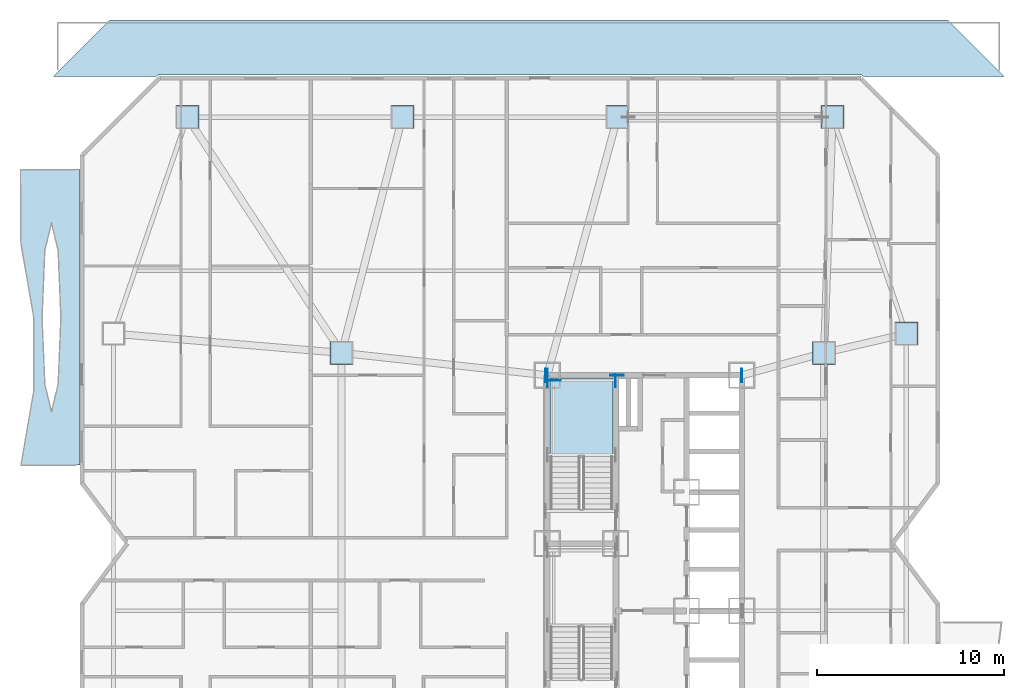
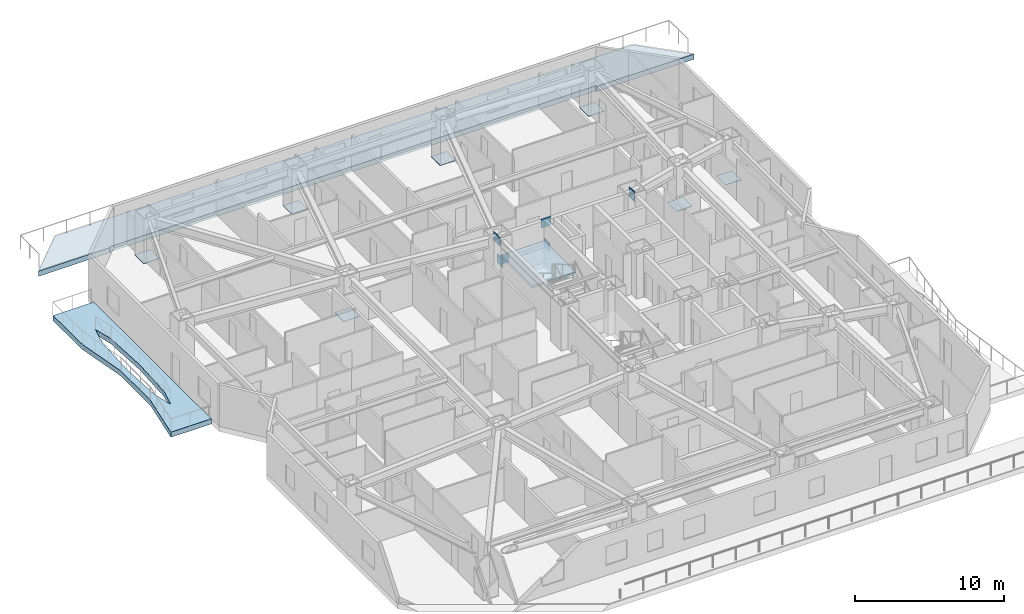
# One storey, part 6 of 18: 15 plates, 3 slabs, 1 element without a shape of its own.
"""IFC4 building model written with IfcOpenShell, lengths in metres."""

from ifc_helpers import new_model, si_unit, direction, frame, origin, origin_2d, place, context, subcontext, project, spatial, polyline, rectangle, outline, extrude, material, layer, layer_set, type_object, element, aggregate, save


model = new_model("IFC4")

# Units and contexts
model_context = context("Model", 3, precision=1e-05, world=origin(), true_north=direction((0.0, 1.0)))
body_context = subcontext(model_context, "Body", "Model", "MODEL_VIEW")
ifc_project = project(units=[si_unit("LENGTHUNIT", "METRE"), si_unit("AREAUNIT", "SQUARE_METRE"), si_unit("VOLUMEUNIT", "CUBIC_METRE"), si_unit("PLANEANGLEUNIT", "RADIAN"), si_unit("MASSUNIT", "GRAM", prefix="KILO")], contexts=[model_context])

# Site, building, storey
site_placement = place(None, origin())
site = spatial("IfcSite", under=ifc_project, at=site_placement, CompositionType="ELEMENT")
building_placement = place(site_placement, origin())
building = spatial("IfcBuilding", under=site, at=building_placement, Name="Khamvora Tower", CompositionType="ELEMENT")
storey_placement = place(building_placement, frame((0.0, 0.0, 33.300048828125)))
storey = spatial("IfcBuildingStorey", under=building, at=storey_placement, Name="L07", CompositionType="ELEMENT", Elevation=33.300048828125)

# Plates
ifc_material_1 = material(Name="Steel S355", Category="steel")
ifc_layer_1 = layer(ifc_material_1, 0.02490234375)
ifc_layer_set_1 = layer_set([ifc_layer_1], Name="Steel S355")
plate_type_1 = type_object("IfcPlateType", Name="PL-CAP-25", PredefinedType="SHEET", material=ifc_layer_set_1)
for number, where, z_axis, x_axis, name in (
    (1, (9.75, 50.800048828125, -0.00048828125), (0.0, 0.0, 1.0), (1.0, 0.0, 0.0), "L07 hollow section steel end cap plate 0096"),
    (2, (21.25, 50.800048828125, -0.00048828125), (0.0, 0.0, 1.0), (1.0, 0.0, 0.0), "L07 hollow section steel end cap plate 0100"),
    (3, (32.75, 50.800048828125, -0.00048828125), (0.0, 0.0, 1.0), (1.0, 0.0, 0.0), "L07 hollow section steel end cap plate 0104"),
    (4, (44.25, 50.800048828125, -0.00048828125), (0.0, 0.0, 1.0), (1.0, 0.0, 0.0), "L07 hollow section steel end cap plate 0108"),
    (5, (48.199951171875, 39.22998046875, -0.00048828125), (0.0, 0.0, 1.0), (1.0, 0.0, 0.0), "L07 hollow section steel end cap plate 0124"),
    (6, (18.0, 38.199951171875, -0.00048828125), (0.0, 0.0, 1.0), (1.0, 0.0, 0.0), "L07 hollow section steel end cap plate 0133"),
    (7, (43.800048828125, 38.199951171875, -0.00048828125), (0.0, 0.0, 1.0), (1.0, 0.0, 0.0), "L07 hollow section steel end cap plate 0142"),
):
    element("IfcPlate", number, at=place(storey_placement, frame(where, z_axis=z_axis, x_axis=x_axis)), inside=storey, type_object=plate_type_1, Name=name, PredefinedType="SHEET", context=body_context, shape_type="SweptSolid", body=[
        extrude(rectangle(XDim=1.22998046875, YDim=1.22998046875, at=origin_2d()), origin(), (0.0, 0.0, 1.0), 0.02490234375),
    ])
ifc_material_2 = material(Name="Steel S460", Category="steel")
ifc_layer_2 = layer(ifc_material_2, 0.034912109375)
ifc_layer_set_2 = layer_set([ifc_layer_2], Name="Steel S460")
plate_type_2 = type_object("IfcPlateType", Name="PL-EMB-35", PredefinedType="SHEET", material=ifc_layer_set_2)
for number, where, z_axis, x_axis, name in (
    (8, (29.0, 36.72998046875, 1.1337890625), (0.0, 0.0, 1.0), (1.0, 0.0, 0.0), "L07 core shear wall cast-in embed plate 0233"),
    (9, (32.64990234375, 36.72998046875, 1.1337890625), (0.0, 0.0, 1.0), (1.0, 0.0, 0.0), "L07 core shear wall cast-in embed plate 0234"),
):
    element("IfcPlate", number, at=place(storey_placement, frame(where, z_axis=z_axis, x_axis=x_axis)), inside=storey, type_object=plate_type_2, Name=name, PredefinedType="SHEET", context=body_context, shape_type="SweptSolid", body=[
        extrude(rectangle(XDim=0.034912109375, YDim=0.719970703125, at=origin_2d()), origin(), (0.0, 0.0, 1.0), 0.719970703125),
    ])
plate_1_placement = place(storey_placement, frame((29.35009765625, 36.72998046875, 1.1337890625), z_axis=(0.0, 0.0, 1.0), x_axis=(1.0, 0.0, 0.0)))
element("IfcPlate", 10, at=plate_1_placement, inside=storey, type_object=plate_type_2, Name="L07 core shear wall cast-in embed plate 0235", PredefinedType="SHEET", context=body_context, shape_type="SweptSolid", body=[
    extrude(rectangle(XDim=0.719970703125, YDim=0.034912109375, at=origin_2d()), origin(), (0.0, 0.0, 1.0), 0.719970703125),
])
for number, where, z_axis, x_axis, name in (
    (11, (29.0, 37.0, 2.68310546875), (0.0, 0.0, 1.0), (1.0, 0.0, 0.0), "L07 core shear wall cast-in embed plate 0237"),
    (12, (39.39990234375, 37.0, 2.68310546875), (0.0, 0.0, 1.0), (1.0, 0.0, 0.0), "L07 core shear wall cast-in embed plate 0239"),
    (13, (28.89990234375, 37.0, 2.802734375), (0.0, 0.0, 1.0), (1.0, 0.0, 0.0), "L07 core shear wall cast-in embed plate 0242"),
):
    element("IfcPlate", number, at=place(storey_placement, frame(where, z_axis=z_axis, x_axis=x_axis)), inside=storey, type_object=plate_type_2, Name=name, PredefinedType="SHEET", context=body_context, shape_type="SweptSolid", body=[
        extrude(rectangle(XDim=0.034912109375, YDim=0.719970703125, at=origin_2d()), origin(), (0.0, 0.0, 1.0), 0.719970703125),
    ])
plate_2_placement = place(storey_placement, frame((32.72998046875, 37.0, 2.802734375), z_axis=(0.0, 0.0, 1.0), x_axis=(1.0, 0.0, 0.0)))
element("IfcPlate", 14, at=plate_2_placement, inside=storey, type_object=plate_type_2, Name="L07 core shear wall cast-in embed plate 0245", PredefinedType="SHEET", context=body_context, shape_type="SweptSolid", body=[
    extrude(rectangle(XDim=0.719970703125, YDim=0.034912109375, at=origin_2d()), origin(), (0.0, 0.0, 1.0), 0.719970703125),
])
plate_3_placement = place(storey_placement, frame((39.39990234375, 37.0, 2.802734375), z_axis=(0.0, 0.0, 1.0), x_axis=(1.0, 0.0, 0.0)))
element("IfcPlate", 15, at=plate_3_placement, inside=storey, type_object=plate_type_2, Name="L07 core shear wall cast-in embed plate 0248", PredefinedType="SHEET", context=body_context, shape_type="SweptSolid", body=[
    extrude(rectangle(XDim=0.034912109375, YDim=0.719970703125, at=origin_2d()), origin(), (0.0, 0.0, 1.0), 0.719970703125),
])

# Slabs
ifc_material_3 = material(Name="Concrete C40/50", Category="concrete")
ifc_layer_3 = layer(ifc_material_3, 0.419921875)
ifc_layer_set_3 = layer_set([ifc_layer_3], Name="Concrete C40/50")
slab_type_1 = type_object("IfcSlabType", Name="SLB-GRD-420", PredefinedType="FLOOR", material=ifc_layer_set_3)
slab_1_placement = place(storey_placement, frame((0.0, 0.0, -0.420166015625)))
element("IfcSlab", 16, at=slab_1_placement, inside=storey, type_object=slab_type_1, Name="Stepped outdoor roof terrace slab 2", PredefinedType="FLOOR", context=body_context, shape_type="SweptSolid", body=[
    extrude(outline(polyline([(5.60009765625, 56.0), (50.39990234375, 56.0), (53.419921875, 52.97998046875), (45.905029296875, 52.97998046875), (45.842041015625, 53.0419921875), (45.837890625, 53.0458984375), (45.8330078125, 53.050048828125), (45.827880859375, 53.052978515625), (45.822998046875, 53.054931640625), (45.81689453125, 53.056884765625), (45.81201171875, 53.05908203125), (45.805908203125, 53.06005859375), (45.800048828125, 53.06005859375), (8.199951171875, 53.06005859375), (8.194091796875, 53.06005859375), (8.18798828125, 53.05908203125), (8.18310546875, 53.056884765625), (8.177001953125, 53.054931640625), (8.172119140625, 53.052978515625), (8.1669921875, 53.050048828125), (8.162109375, 53.0458984375), (8.157958984375, 53.0419921875), (8.094970703125, 52.97998046875), (2.580078125, 52.97998046875), (5.60009765625, 56.0)])), origin(), (0.0, 0.0, 1.0), 0.420166015625),
])
slab_2_placement = place(storey_placement, frame((0.0, 0.0, -0.420166015625)))
element("IfcSlab", 17, at=slab_2_placement, inside=storey, type_object=slab_type_1, Name="L07 external lens gallery slab WL2", PredefinedType="FLOOR", context=body_context, shape_type="SweptSolid", body=[
    extrude(outline(polyline([(4.0, 32.199951171875), (4.0, 48.0), (0.825927734375, 48.0), (0.85302734375, 44.050048828125), (1.535888671875, 40.10009765625), (1.534912109375, 36.14990234375), (0.85302734375, 32.199951171875), (4.0, 32.199951171875)]), holes=[polyline([(2.989013671875, 40.10009765625), (2.841064453125, 43.675048828125), (2.485107421875, 45.156005859375), (2.12890625, 43.675048828125), (1.98095703125, 40.10009765625), (2.12890625, 36.52490234375), (2.485107421875, 35.0439453125), (2.841064453125, 36.52490234375), (2.989013671875, 40.10009765625)])]), origin(), (0.0, 0.0, 1.0), 0.420166015625),
])

# Stair, slab
stair_type = type_object("IfcStairType", Name="STR-ST-02", PredefinedType="HALF_TURN_STAIR", material=ifc_material_3)
stair_placement = place(storey_placement, origin())
stair = element("IfcStair", 18, at=stair_placement, inside=storey, type_object=stair_type, Name="L07 North Tower Exit Stair ST-02", PredefinedType="HALF_TURN_STAIR")
ifc_layer_4 = layer(ifc_material_3, 0.199951171875)
ifc_layer_set_4 = layer_set([ifc_layer_4], Name="Concrete C40/50")
slab_type_2 = type_object("IfcSlabType", Name="SLB-LND-200", PredefinedType="LANDING", material=ifc_layer_set_4)
slab_3_placement = place(storey_placement, frame((0.0, 0.0, 1.625)))
slab_3 = element("IfcSlab", 19, at=slab_3_placement, type_object=slab_type_2, Name="ST-02 landing 1", PredefinedType="LANDING", context=body_context, shape_type="SweptSolid", body=[
    extrude(outline(polyline([(32.5, 32.614990234375), (32.5, 36.85009765625), (29.14990234375, 36.85009765625), (29.14990234375, 32.614990234375), (32.5, 32.614990234375)])), origin(), (0.0, 0.0, 1.0), 0.199951171875),
])
aggregate(stair, [slab_3])

save(model, "model.ifc")
